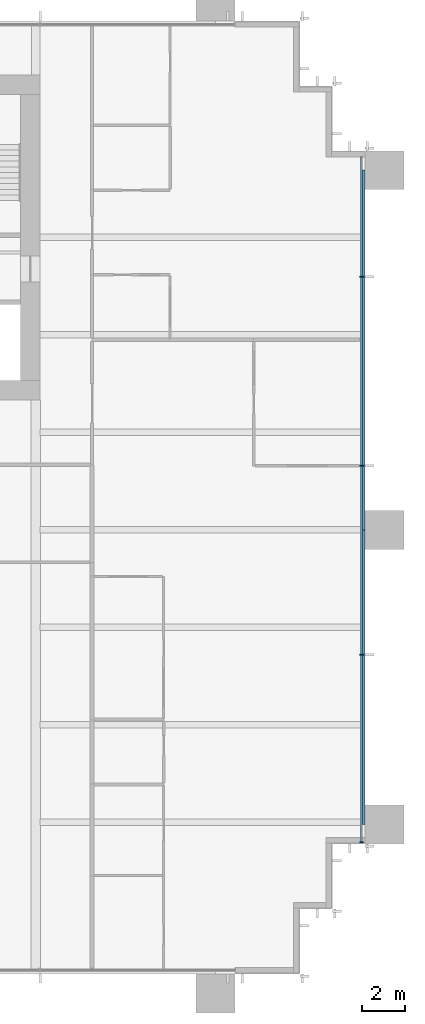
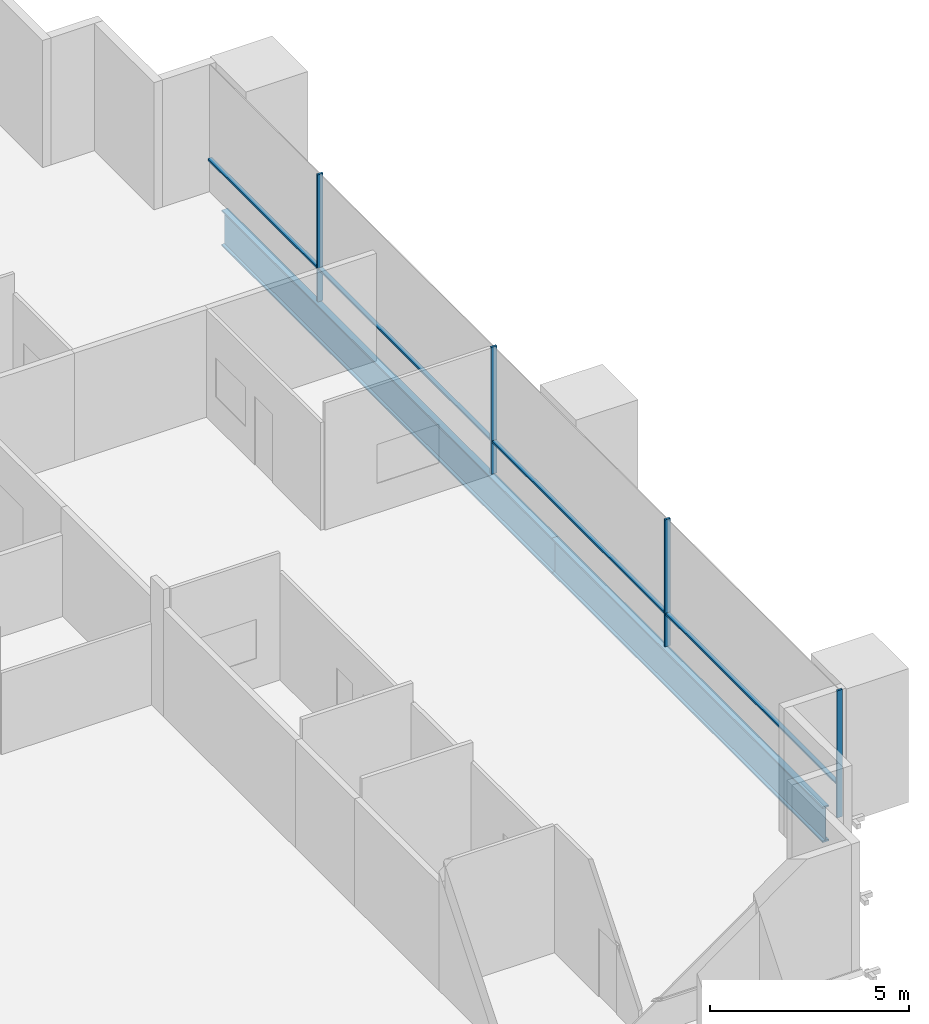
# One storey, part 9 of 18: 8 members, 2 beams, 1 element without a shape of its own.
"""IFC4 building model written with IfcOpenShell, lengths in metres."""

import ifcopenshell
import ifcopenshell.guid

model = None  # the IFC model being written
_history = None  # IfcOwnerHistory: only IFC2X3 demands one
_inside = {}  # id of a spatial element -> (the spatial element, [elements in it])
_under = {}  # id of a project, library or spatial element -> (it, [spatial elements below it])
_declared = {}  # id of a project -> (the project, [libraries it declares])
_typed = {}  # id of a type object -> (the type object, [elements of that type])
_made_of = {}  # id of a material, layer set ... -> (it, [elements and type objects made of it])


def new_model(schema):
    """Start an empty IFC model of exactly this schema.

    Asked for "IFC4X3", IfcOpenShell would pick the latest addendum, in which some entities
    have other attributes; the version numbers below select the first issue.
    IFC2X3 requires an IfcOwnerHistory on every rooted entity: one is made here for all.
    """
    global model, _history
    if schema == "IFC4X3":
        model = ifcopenshell.file(schema_version=(4, 3, 0, 0))
    else:
        model = ifcopenshell.file(schema=schema)
    _inside.clear()
    _under.clear()
    _declared.clear()
    _typed.clear()
    _made_of.clear()
    _history = None
    if model.schema == "IFC2X3":
        org = make("IfcOrganization", Name="unknown")
        user = make(
            "IfcPersonAndOrganization",
            ThePerson=make("IfcPerson", FamilyName="unknown"),
            TheOrganization=org,
        )
        app = make(
            "IfcApplication",
            ApplicationDeveloper=org,
            Version="unknown",
            ApplicationFullName="unknown",
            ApplicationIdentifier="unknown",
        )
        _history = make(
            "IfcOwnerHistory",
            OwningUser=user,
            OwningApplication=app,
            ChangeAction="ADDED",
            CreationDate=0,
        )
    return model


def make(cls, **values):
    """One entity of the class cls with the attributes given. An attribute that is None is left unset."""
    return model.create_entity(
        cls, **{name: value for name, value in values.items() if value is not None}
    )


def rooted(cls, **values):
    """An entity with a GlobalId (a new one), such as an element, a storey or a relation."""
    return make(cls, GlobalId=ifcopenshell.guid.new(), OwnerHistory=_history, **values)


def si_unit(unit_type, name, prefix=None):
    """IfcSIUnit, for example si_unit("LENGTHUNIT", "METRE", prefix="MILLI")."""
    return make("IfcSIUnit", UnitType=unit_type, Prefix=prefix, Name=name)


def assignment(units):
    """IfcUnitAssignment: the units of a project."""
    return None if units is None else make("IfcUnitAssignment", Units=units)


def point(xyz):
    """IfcCartesianPoint."""
    return None if xyz is None else make("IfcCartesianPoint", Coordinates=xyz)


def direction(xyz):
    """IfcDirection."""
    return None if xyz is None else make("IfcDirection", DirectionRatios=xyz)


def frame(location, z_axis=None, x_axis=None):
    """IfcAxis2Placement3D, a coordinate frame: its origin and axes. An axis left out is left unset."""
    return make(
        "IfcAxis2Placement3D",
        Location=point(location),
        Axis=direction(z_axis),
        RefDirection=direction(x_axis),
    )


def frame_2d(location, x_axis=None):
    """IfcAxis2Placement2D, a coordinate frame in the plane: its origin and x axis."""
    return make(
        "IfcAxis2Placement2D", Location=point(location), RefDirection=direction(x_axis)
    )


def origin():
    """The frame at (0, 0, 0) with its axes left unset."""
    return frame((0.0, 0.0, 0.0))


def origin_2d():
    """The frame at (0, 0) in the plane with its x axis left unset."""
    return frame_2d((0.0, 0.0))


def place(relative_to, where):
    """IfcLocalPlacement: puts the frame where relative to a parent placement (None: the world)."""
    return make(
        "IfcLocalPlacement", PlacementRelTo=relative_to, RelativePlacement=where
    )


def context(
    kind, dimensions, precision=None, world=None, true_north=None, identifier=None
):
    """IfcGeometricRepresentationContext, for example the 3D "Model" context."""
    return make(
        "IfcGeometricRepresentationContext",
        ContextIdentifier=identifier,
        ContextType=kind,
        CoordinateSpaceDimension=dimensions,
        Precision=precision,
        WorldCoordinateSystem=world,
        TrueNorth=true_north,
    )


def subcontext(parent, identifier, kind, view, scale=None):
    """IfcGeometricRepresentationSubContext, for example "Body" below "Model"."""
    return make(
        "IfcGeometricRepresentationSubContext",
        ContextIdentifier=identifier,
        ContextType=kind,
        ParentContext=parent,
        TargetScale=scale,
        TargetView=view,
    )


def project(units=None, contexts=None):
    """IfcProject with its units and contexts."""
    return rooted(
        "IfcProject",
        Name="project",
        RepresentationContexts=contexts,
        UnitsInContext=assignment(units),
    )


def spatial(cls, under=None, at=None, **own):
    """A site, building, storey or space (cls), placed at a placement, below another one or the project."""
    s = rooted(cls, ObjectPlacement=at, **own)
    if under is not None:
        _under.setdefault(under.id(), (under, []))[1].append(s)
    return s


def profile(cls, at=None, kind="AREA", **sizes):
    """A parametric profile (cls). Its sizes go by their IFC names, for example OverallWidth=200.0."""
    return make(cls, ProfileType=kind, Position=at, **sizes)


def rectangle(**sizes):
    """IfcRectangleProfileDef."""
    return profile("IfcRectangleProfileDef", **sizes)


def i_section(**sizes):
    """IfcIShapeProfileDef."""
    return profile("IfcIShapeProfileDef", **sizes)


def extrude(swept, where, along, depth):
    """IfcExtrudedAreaSolid: the profile swept, set in the frame where, extruded along a direction by depth."""
    return make(
        "IfcExtrudedAreaSolid",
        SweptArea=swept,
        Position=where,
        ExtrudedDirection=direction(along),
        Depth=depth,
    )


def shape(context_of_items, identifier, shape_type, items):
    """IfcShapeRepresentation: the items that make up one representation, for example the "Body"."""
    return make(
        "IfcShapeRepresentation",
        ContextOfItems=context_of_items,
        RepresentationIdentifier=identifier,
        RepresentationType=shape_type,
        Items=items,
    )


def material(Name=None, Category=None):
    """IfcMaterial."""
    return make("IfcMaterial", Name=Name, Category=Category)


def material_profile(
    of_material, cross_section, Name=None, Category=None, Priority=None
):
    """IfcMaterialProfile: a cross section and its material."""
    return make(
        "IfcMaterialProfile",
        Name=Name,
        Material=of_material,
        Profile=cross_section,
        Priority=Priority,
        Category=Category,
    )


def profile_set(profiles, Name=None, composite=None):
    """IfcMaterialProfileSet."""
    return make(
        "IfcMaterialProfileSet",
        Name=Name,
        MaterialProfiles=profiles,
        CompositeProfile=composite,
    )


def made_of(thing, what):
    """Note that an element or type object is made of a material, layer set ...; save() writes the relation."""
    if what is not None:
        _made_of.setdefault(what.id(), (what, []))[1].append(thing)
    return thing


def type_object(cls, material=None, **own):
    """A type object (cls), such as IfcWallType, which elements share."""
    return made_of(rooted(cls, **own), material)


def element(
    cls,
    number,
    at=None,
    inside=None,
    cuts=None,
    type_object=None,
    material=None,
    context=None,
    identifier="Body",
    shape_type=None,
    held_by="IfcProductDefinitionShape",
    body=None,
    shapes=None,
    **own,
):
    """One element of the class cls, such as IfcWall. Its Tag is "e" and its number.

    at: its placement. inside: the storey or other place that contains it. cuts: it is an
    opening in that element (IfcRelVoidsElement). A single representation is given by context,
    identifier, shape_type and body (its items); several are given by shapes. held_by: the class
    of the entity that holds the representations. save() writes the other relations.
    """
    e = rooted(cls, Tag="e%d" % number, ObjectPlacement=at, **own)
    if body is not None:
        shapes = [shape(context, identifier, shape_type, body)]
    if shapes is not None:
        e.Representation = make(held_by, Representations=shapes)
    if inside is not None:
        _inside.setdefault(inside.id(), (inside, []))[1].append(e)
    if cuts is not None:
        rooted(
            "IfcRelVoidsElement", RelatingBuildingElement=cuts, RelatedOpeningElement=e
        )
    if type_object is not None:
        _typed.setdefault(type_object.id(), (type_object, []))[1].append(e)
    return made_of(e, material)


def aggregate(whole, parts):
    """IfcRelAggregates: a whole, such as a stair, and the parts it consists of."""
    return rooted("IfcRelAggregates", RelatingObject=whole, RelatedObjects=parts)


def save(model, path):
    """Write the relations noted so far, then the file.

    IfcRelAggregates (storeys below a building ...), IfcRelContainedInSpatialStructure (elements
    in a storey), IfcRelDefinesByType, IfcRelAssociatesMaterial and IfcRelDeclares: one each for
    every whole, place, type object, material and project.
    """
    for whole, parts in _under.values():
        aggregate(whole, parts)
    for where, things in _inside.values():
        rooted(
            "IfcRelContainedInSpatialStructure",
            RelatedElements=things,
            RelatingStructure=where,
        )
    for kind, things in _typed.values():
        rooted("IfcRelDefinesByType", RelatedObjects=things, RelatingType=kind)
    for what, things in _made_of.values():
        rooted("IfcRelAssociatesMaterial", RelatedObjects=things, RelatingMaterial=what)
    for by, libraries in _declared.values():
        rooted("IfcRelDeclares", RelatingContext=by, RelatedDefinitions=libraries)
    model.write(path)


model = new_model("IFC4")

# Units and contexts
model_context = context("Model", 3, precision=1e-05, world=origin(), true_north=direction((0.0, 1.0)))
body_context = subcontext(model_context, "Body", "Model", "MODEL_VIEW")
ifc_project = project(units=[si_unit("LENGTHUNIT", "METRE"), si_unit("AREAUNIT", "SQUARE_METRE"), si_unit("VOLUMEUNIT", "CUBIC_METRE"), si_unit("PLANEANGLEUNIT", "RADIAN"), si_unit("MASSUNIT", "GRAM", prefix="KILO")], contexts=[model_context])

# Site, building, storey
site_placement = place(None, origin())
site = spatial("IfcSite", under=ifc_project, at=site_placement, CompositionType="ELEMENT")
building_placement = place(site_placement, origin())
building = spatial("IfcBuilding", under=site, at=building_placement, Name="Rattan Terrace Tower", CompositionType="ELEMENT")
storey_placement = place(building_placement, frame((0.0, 0.0, 36.5)))
storey = spatial("IfcBuildingStorey", under=building, at=storey_placement, Name="L07", CompositionType="ELEMENT", Elevation=36.5)

# Curtain wall, members
ifc_material_1 = material(Name="Aluminium and glass", Category="aluminium")
curtain_wall_type = type_object("IfcCurtainWallType", Name="Facade Unitised Curtain Wall", PredefinedType="NOTDEFINED", material=ifc_material_1)
curtain_wall_placement = place(storey_placement, origin())
curtain_wall = element("IfcCurtainWall", 1, at=curtain_wall_placement, inside=storey, type_object=curtain_wall_type, Name="Curtain wall L07-1", PredefinedType="NOTDEFINED")
ifc_material_2 = material(Name="Aluminium", Category="aluminium")
ifc_material_profile_1 = material_profile(ifc_material_2, rectangle(XDim=0.06005859375, YDim=0.159912109375, at=origin_2d()), Name="Aluminium 60x160")
ifc_profile_set_1 = profile_set([ifc_material_profile_1], Name="Aluminium")
member_type_1 = type_object("IfcMemberType", Name="Facade CW Mullion 60x160", PredefinedType="MULLION", material=ifc_profile_set_1)
member_1_placement = place(storey_placement, frame((32.830078125, -27.925048828125, 0.0), z_axis=(0.0, 0.0, 1.0), x_axis=(0.0, 1.0, 0.0)))
member_1 = element("IfcMember", 2, at=member_1_placement, type_object=member_type_1, Name="Mullion cwl-L07-001.1", PredefinedType="MULLION", context=body_context, shape_type="SweptSolid", body=[
    extrude(rectangle(XDim=0.06005859375, YDim=0.159912109375, at=origin_2d()), origin(), (0.0, 0.0, 1.0), 3.89990234375),
])
member_2_placement = place(storey_placement, frame((32.830078125, -19.27294921875, 0.0), z_axis=(0.0, 0.0, 1.0), x_axis=(0.0, 1.0, 0.0)))
member_2 = element("IfcMember", 3, at=member_2_placement, type_object=member_type_1, Name="Mullion cwl-L07-001.2", PredefinedType="MULLION", context=body_context, shape_type="SweptSolid", body=[
    extrude(rectangle(XDim=0.06005859375, YDim=0.159912109375, at=origin_2d()), origin(), (0.0, 0.0, 1.0), 3.89990234375),
])
member_3_placement = place(storey_placement, frame((32.830078125, -10.5458984375, 0.0), z_axis=(0.0, 0.0, 1.0), x_axis=(0.0, 1.0, 0.0)))
member_3 = element("IfcMember", 4, at=member_3_placement, type_object=member_type_1, Name="Mullion cwl-L07-001.3", PredefinedType="MULLION", context=body_context, shape_type="SweptSolid", body=[
    extrude(rectangle(XDim=0.06005859375, YDim=0.159912109375, at=origin_2d()), origin(), (0.0, 0.0, 1.0), 3.89990234375),
])
member_4_placement = place(storey_placement, frame((32.830078125, -1.819091796875, 0.0), z_axis=(0.0, 0.0, 1.0), x_axis=(0.0, 1.0, 0.0)))
member_4 = element("IfcMember", 5, at=member_4_placement, type_object=member_type_1, Name="Mullion cwl-L07-001.4", PredefinedType="MULLION", context=body_context, shape_type="SweptSolid", body=[
    extrude(rectangle(XDim=0.06005859375, YDim=0.159912109375, at=origin_2d()), origin(), (0.0, 0.0, 1.0), 3.89990234375),
])
ifc_material_3 = material(Name="Aluminium", Category="aluminium")
ifc_material_profile_2 = material_profile(ifc_material_3, rectangle(XDim=0.1201171875, YDim=0.06005859375, at=origin_2d()), Name="Aluminium 120x60")
ifc_profile_set_2 = profile_set([ifc_material_profile_2], Name="Aluminium")
member_type_2 = type_object("IfcMemberType", Name="Facade CW Transom 120x60", PredefinedType="USERDEFINED", material=ifc_profile_set_2)
member_5_placement = place(storey_placement, frame((32.830078125, -27.89501953125, 1.0), z_axis=(0.0, 1.0, 0.0), x_axis=(-1.0, 0.0, 0.0)))
member_5 = element("IfcMember", 6, at=member_5_placement, type_object=member_type_2, Name="Transom cwl-L07-001.1", ObjectType="TRANSOM", PredefinedType="USERDEFINED", context=body_context, shape_type="SweptSolid", body=[
    extrude(rectangle(XDim=0.1201171875, YDim=0.06005859375, at=origin_2d()), origin(), (0.0, 0.0, 1.0), 8.592041015625),
])
member_6_placement = place(storey_placement, frame((32.830078125, -19.242919921875, 1.0), z_axis=(0.0, 1.0, 0.0), x_axis=(-1.0, 0.0, 0.0)))
member_6 = element("IfcMember", 7, at=member_6_placement, type_object=member_type_2, Name="Transom cwl-L07-001.2", ObjectType="TRANSOM", PredefinedType="USERDEFINED", context=body_context, shape_type="SweptSolid", body=[
    extrude(rectangle(XDim=0.1201171875, YDim=0.06005859375, at=origin_2d()), origin(), (0.0, 0.0, 1.0), 8.6669921875),
])
member_7_placement = place(storey_placement, frame((32.830078125, -10.51611328125, 1.0), z_axis=(0.0, 1.0, 0.0), x_axis=(-1.0, 0.0, 0.0)))
member_7 = element("IfcMember", 8, at=member_7_placement, type_object=member_type_2, Name="Transom cwl-L07-001.3", ObjectType="TRANSOM", PredefinedType="USERDEFINED", context=body_context, shape_type="SweptSolid", body=[
    extrude(rectangle(XDim=0.1201171875, YDim=0.06005859375, at=origin_2d()), origin(), (0.0, 0.0, 1.0), 8.6669921875),
])
member_8_placement = place(storey_placement, frame((32.830078125, -1.7890625, 1.0), z_axis=(0.0, 1.0, 0.0), x_axis=(-1.0, 0.0, 0.0)))
member_8 = element("IfcMember", 9, at=member_8_placement, type_object=member_type_2, Name="Transom cwl-L07-001.4", ObjectType="TRANSOM", PredefinedType="USERDEFINED", context=body_context, shape_type="SweptSolid", body=[
    extrude(rectangle(XDim=0.1201171875, YDim=0.06005859375, at=origin_2d()), origin(), (0.0, 0.0, 1.0), 5.494140625),
])
aggregate(curtain_wall, [member_1, member_2, member_3, member_4, member_5, member_6, member_7, member_8])

# Beams
ifc_material_4 = material(Name="Steel S460", Category="steel")
ifc_material_profile_3 = material_profile(ifc_material_4, i_section(OverallWidth=0.179931640625, OverallDepth=1.10009765625, WebThickness=0.01611328125, FlangeThickness=0.050048828125, at=origin_2d()), Name="PG 1100x180-16-50")
ifc_profile_set_3 = profile_set([ifc_material_profile_3], Name="Steel S460")
beam_type = type_object("IfcBeamType", Name="Frame edge girder PG 1100x180-16-50", PredefinedType="SPANDREL", material=ifc_profile_set_3)
beam_1_placement = place(storey_placement, frame((32.909912109375, -27.10009765625, -0.75), z_axis=(0.0, 1.0, 0.0), x_axis=(-1.0, 0.0, 0.0)))
element("IfcBeam", 10, at=beam_1_placement, inside=storey, type_object=beam_type, Name="gdr-L07-005", PredefinedType="SPANDREL", context=body_context, shape_type="SweptSolid", body=[
    extrude(i_section(OverallWidth=0.179931640625, OverallDepth=1.10009765625, WebThickness=0.01611328125, FlangeThickness=0.050048828125, at=origin_2d()), origin(), (0.0, 0.0, 1.0), 13.60009765625),
])
beam_2_placement = place(storey_placement, frame((32.909912109375, -13.5, -0.75), z_axis=(0.0, 1.0, 0.0), x_axis=(-1.0, 0.0, 0.0)))
element("IfcBeam", 11, at=beam_2_placement, inside=storey, type_object=beam_type, Name="gdr-L07-007", PredefinedType="SPANDREL", context=body_context, shape_type="SweptSolid", body=[
    extrude(i_section(OverallWidth=0.179931640625, OverallDepth=1.10009765625, WebThickness=0.01611328125, FlangeThickness=0.050048828125, at=origin_2d()), origin(), (0.0, 0.0, 1.0), 16.60009765625),
])

save(model, "model.ifc")
